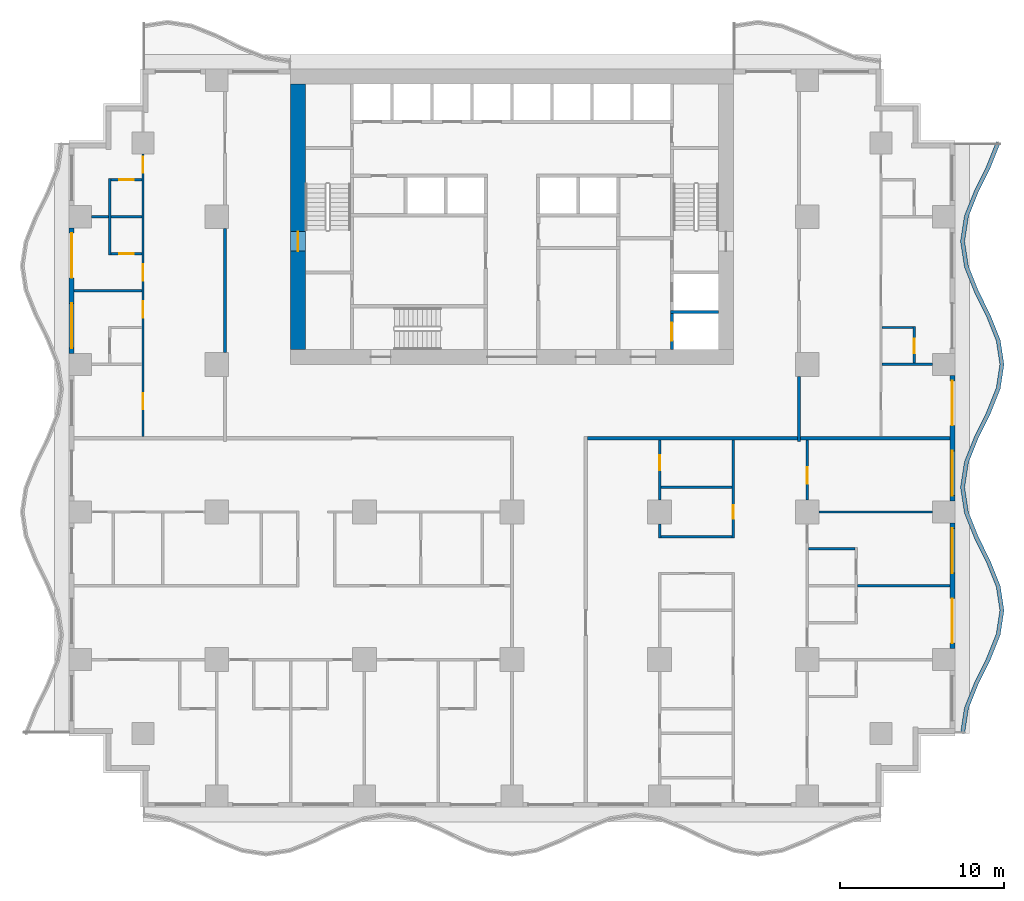
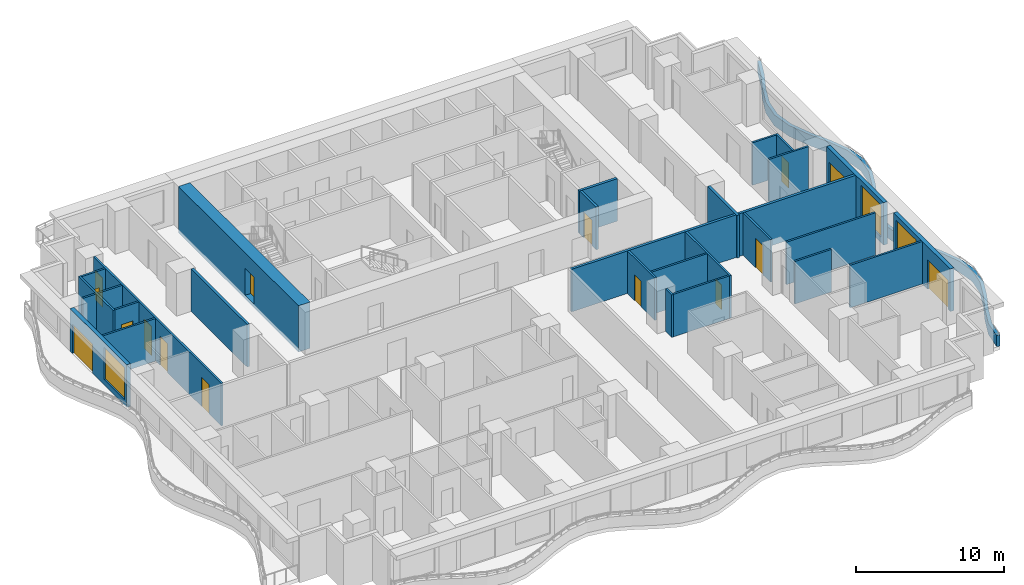
# One storey, part 4 of 13: 30 walls, 15 doors, 3 windows, 18 openings.
"""IFC4 building model written with IfcOpenShell, lengths in metres."""

from ifc_helpers import new_model, si_unit, direction, frame, frame_2d, origin, place, context, subcontext, project, spatial, polyline, rectangle, outline, extrude, material, layer, layer_set, type_object, element, fill, save


model = new_model("IFC4")

# Units and contexts
model_context = context("Model", 3, precision=1e-05, world=origin(), true_north=direction((0.0, 1.0)))
body_context = subcontext(model_context, "Body", "Model", "MODEL_VIEW")
ifc_project = project(units=[si_unit("LENGTHUNIT", "METRE"), si_unit("AREAUNIT", "SQUARE_METRE"), si_unit("VOLUMEUNIT", "CUBIC_METRE"), si_unit("PLANEANGLEUNIT", "RADIAN"), si_unit("MASSUNIT", "GRAM", prefix="KILO")], contexts=[model_context])

# Site, building, storey
site_placement = place(None, origin())
site = spatial("IfcSite", under=ifc_project, at=site_placement, CompositionType="ELEMENT")
building_placement = place(site_placement, origin())
building = spatial("IfcBuilding", under=site, at=building_placement, Name="Orbiselva Terraces", CompositionType="ELEMENT")
storey_placement = place(building_placement, frame((0.0, 0.0, 69.4)))
storey = spatial("IfcBuildingStorey", under=building, at=storey_placement, Name="L17", CompositionType="ELEMENT", Elevation=69.4)

# Wall, opening, door
ifc_material_1 = material(Name="Concrete C80/95", Category="concrete")
ifc_layer_1 = layer(ifc_material_1, 0.9)
ifc_layer_set_1 = layer_set([ifc_layer_1], Name="Concrete C80/95")
wall_type_1 = type_object("IfcWallType", Name="CORE WALL 900", PredefinedType="SHEAR", material=ifc_layer_set_1)
wall_1_placement = place(storey_placement, frame((-13.05, 21.6, -0.3), z_axis=(0.0, 0.0, 1.0), x_axis=(0.0, -1.0, 0.0)))
wall_1 = element("IfcWall", 1, at=wall_1_placement, inside=storey, type_object=wall_type_1, Name="Core wall L17 west", PredefinedType="SHEAR", context=body_context, shape_type="SweptSolid", body=[
    extrude(rectangle(XDim=16.2, YDim=0.9, at=frame_2d((8.1, 0.0))), origin(), (0.0, 0.0, 1.0), 3.8),
])
opening_1_placement = place(wall_1_placement, frame((9.0, 0.0, 0.3)))
opening_1 = element("IfcOpeningElement", 2, at=opening_1_placement, cuts=wall_1, Name="Opening DS1200", PredefinedType="OPENING", context=body_context, shape_type="SweptSolid", body=[
    extrude(rectangle(XDim=1.2, YDim=2.2, at=frame_2d((0.6, 1.1))), frame((0.0, 0.46, 0.0), z_axis=(0.0, -1.0, 0.0), x_axis=(1.0, 0.0, 0.0)), (0.0, 0.0, 1.0), 0.92),
])
ifc_material_2 = material(Name="Steel fire door", Category="steel")
door_type_1 = type_object("IfcDoorType", Name="STAIR DOOR 1200", OperationType="NOTDEFINED", PredefinedType="DOOR", material=ifc_material_2)
door_1_placement = place(opening_1_placement, frame((1.2, 0.0, 0.0), z_axis=(0.0, 0.0, 1.0), x_axis=(-1.0, 0.0, 0.0)))
door_1 = element("IfcDoor", 3, at=door_1_placement, inside=storey, type_object=door_type_1, Name="L17 EXIT STAIR S1 door", OperationType="SINGLE_SWING_RIGHT", OverallHeight=2.2, OverallWidth=1.2, PredefinedType="DOOR", context=body_context, shape_type="SweptSolid", body=[
    extrude(rectangle(XDim=1.2, YDim=2.2, at=frame_2d((0.6, 1.1))), frame((0.0, 0.025, 0.0), z_axis=(0.0, -1.0, 0.0), x_axis=(1.0, 0.0, 0.0)), (0.0, 0.0, 1.0), 0.05),
])
fill(opening_1, door_1)

ifc_material_3 = material(Name="Concrete C60/75", Category="concrete")
ifc_layer_2 = layer(ifc_material_3, 0.2)
ifc_layer_set_2 = layer_set([ifc_layer_2], Name="Concrete C60/75")
wall_type_2 = type_object("IfcWallType", Name="CORE-WALL-SHEAR-200", PredefinedType="SHEAR", material=ifc_layer_set_2)
wall_2_placement = place(storey_placement, frame((9.75, 5.4, 0.0), z_axis=(0.0, 0.0, 1.0), x_axis=(0.0, 1.0, 0.0)))
wall_2 = element("IfcWall", 4, at=wall_2_placement, inside=storey, type_object=wall_type_2, Name="L17 core wall 38", PredefinedType="SHEAR", context=body_context, shape_type="SweptSolid", body=[
    extrude(rectangle(XDim=2.2, YDim=0.2, at=frame_2d((1.1, 0.0))), origin(), (0.0, 0.0, 1.0), 3.5),
])
opening_2_placement = place(wall_2_placement, frame((0.55, 0.0, 0.0)))
opening_2 = element("IfcOpeningElement", 5, at=opening_2_placement, cuts=wall_2, Name="Opening LD-FF1", PredefinedType="OPENING", context=body_context, shape_type="SweptSolid", body=[
    extrude(rectangle(XDim=1.1, YDim=2.1, at=frame_2d((0.55, 1.05))), frame((0.0, 0.11, 0.0), z_axis=(0.0, -1.0, 0.0), x_axis=(1.0, 0.0, 0.0)), (0.0, 0.0, 1.0), 0.22),
])
ifc_material_4 = material(Name="Stainless steel landing door", Category="steel")
door_type_2 = type_object("IfcDoorType", Name="LANDING DOOR 1100", OperationType="SLIDING_TO_LEFT", PredefinedType="DOOR", material=ifc_material_4)
door_2_placement = place(opening_2_placement, origin())
door_2 = element("IfcDoor", 6, at=door_2_placement, inside=storey, type_object=door_type_2, Name="L17 landing door FF1", OperationType="SLIDING_TO_RIGHT", OverallHeight=2.1, OverallWidth=1.1, PredefinedType="DOOR", context=body_context, shape_type="SweptSolid", body=[
    extrude(rectangle(XDim=1.1, YDim=2.1, at=frame_2d((0.55, 1.05))), frame((0.0, 0.025, 0.0), z_axis=(0.0, -1.0, 0.0), x_axis=(1.0, 0.0, 0.0)), (0.0, 0.0, 1.0), 0.05),
])
fill(opening_2, door_2)

# Walls
wall_3_placement = place(storey_placement, frame((9.65, 7.7, 0.0), z_axis=(0.0, 0.0, 1.0), x_axis=(1.0, 0.0, 0.0)))
element("IfcWall", 7, at=wall_3_placement, inside=storey, type_object=wall_type_2, Name="L17 core wall 39", PredefinedType="SHEAR", context=body_context, shape_type="SweptSolid", body=[
    extrude(rectangle(XDim=2.95, YDim=0.2, at=frame_2d((1.475, 0.0))), origin(), (0.0, 0.0, 1.0), 3.5),
])
ifc_material_5 = material(Name="Concrete C40/50", Category="concrete")
ifc_layer_3 = layer(ifc_material_5, 0.25)
ifc_layer_set_3 = layer_set([ifc_layer_3], Name="Concrete C40/50")
wall_type_3 = type_object("IfcWallType", Name="ENV-PLANTER-250x900", PredefinedType="USERDEFINED", material=ifc_layer_set_3)
wall_4_placement = place(storey_placement, origin())
element("IfcWall", 8, at=wall_4_placement, inside=storey, type_object=wall_type_3, Name="Balcony planter L17 E", ObjectType="PLANTER", PredefinedType="USERDEFINED", context=body_context, shape_type="SweptSolid", body=[
    extrude(outline(polyline([(27.6, -18.0), (27.82918, -16.5), (28.42918, -15.0), (29.17082, -13.5), (29.77082, -12.0), (30.0, -10.5), (29.77082, -9.0), (29.17082, -7.5), (28.42918, -6.0), (27.82918, -4.5), (27.6, -3.0), (27.82918, -1.5), (28.42918, 0.0), (29.17082, 1.5), (29.77082, 3.0), (30.0, 4.5), (29.77082, 6.0), (29.17082, 7.5), (28.42918, 9.0), (27.82918, 10.5), (27.6, 12.0), (27.82918, 13.5), (28.42918, 15.0), (29.17082, 16.5), (29.77082, 18.0), (29.538701, 18.092848), (28.942355, 16.601983), (28.200715, 15.101983), (27.586388, 13.566166), (27.347099, 12.0), (27.586388, 10.433834), (28.200715, 8.898017), (28.942355, 7.398017), (29.528028, 5.933834), (29.747099, 4.5), (29.528028, 3.066166), (28.942355, 1.601983), (28.200715, 0.101983), (27.586388, -1.433834), (27.347099, -3.0), (27.586388, -4.566166), (28.200715, -6.101983), (28.942355, -7.601983), (29.528028, -9.066166), (29.747099, -10.5), (29.528028, -11.933834), (28.942355, -13.398017), (28.200715, -14.898017), (27.586388, -16.433834), (27.352868, -17.962242), (27.6, -18.0)])), origin(), (0.0, 0.0, 1.0), 0.9),
])

# Wall, openings, door, window
ifc_material_6 = material(Name="Terracotta cladding on masonry backing", Category="masonry")
ifc_layer_4 = layer(ifc_material_6, 0.3)
ifc_layer_set_4 = layer_set([ifc_layer_4], Name="Terracotta cladding on masonry backing")
wall_type_4 = type_object("IfcWallType", Name="ENV-WALL-TERRACOTTA-300", PredefinedType="SOLIDWALL", material=ifc_layer_set_4)
wall_5_placement = place(storey_placement, frame((26.85, -5.175, 0.0), z_axis=(0.0, 0.0, 1.0), x_axis=(0.0, -1.0, 0.0)))
wall_5 = element("IfcWall", 9, at=wall_5_placement, inside=storey, type_object=wall_type_4, Name="Facade wall L17 E", PredefinedType="SOLIDWALL", context=body_context, shape_type="SweptSolid", body=[
    extrude(rectangle(XDim=7.65, YDim=0.3, at=frame_2d((3.825, 0.0))), origin(), (0.0, 0.0, 1.0), 3.5),
])
opening_3_placement = place(wall_5_placement, frame((4.6, 0.0, 0.0)))
opening_3 = element("IfcOpeningElement", 10, at=opening_3_placement, cuts=wall_5, Name="Opening Z2-A-E05", PredefinedType="OPENING", context=body_context, shape_type="SweptSolid", body=[
    extrude(rectangle(XDim=2.725, YDim=2.4, at=frame_2d((1.3625, 1.2))), frame((0.0, 0.16, 0.0), z_axis=(0.0, -1.0, 0.0), x_axis=(1.0, 0.0, 0.0)), (0.0, 0.0, 1.0), 0.32),
])
opening_4_placement = place(wall_5_placement, frame((0.325, 0.0, 0.45)))
opening_4 = element("IfcOpeningElement", 11, at=opening_4_placement, cuts=wall_5, Name="Opening WN5", PredefinedType="OPENING", context=body_context, shape_type="SweptSolid", body=[
    extrude(rectangle(XDim=2.725, YDim=2.65, at=frame_2d((1.3625, 1.325))), frame((0.0, 0.16, 0.0), z_axis=(0.0, -1.0, 0.0), x_axis=(1.0, 0.0, 0.0)), (0.0, 0.0, 1.0), 0.32),
])
ifc_material_7 = material(Name="Clear low-e glazing in aluminium frame", Category="aluminium")
door_type_3 = type_object("IfcDoorType", Name="BALCONY DOOR 2725 X 2400", OperationType="DOUBLE_DOOR_SLIDING", PredefinedType="DOOR", material=ifc_material_7)
door_3_placement = place(opening_3_placement, origin())
door_3 = element("IfcDoor", 12, at=door_3_placement, inside=storey, type_object=door_type_3, Name="Z2-A-E05", OperationType="SINGLE_SWING_LEFT", OverallHeight=2.4, OverallWidth=2.725, PredefinedType="DOOR", context=body_context, shape_type="SweptSolid", body=[
    extrude(rectangle(XDim=2.725, YDim=2.4, at=frame_2d((1.3625, 1.2))), frame((0.0, 0.025, 0.0), z_axis=(0.0, -1.0, 0.0), x_axis=(1.0, 0.0, 0.0)), (0.0, 0.0, 1.0), 0.05),
])
fill(opening_3, door_3)
window_type = type_object("IfcWindowType", Name="WINDOW 2725 X 2650 S450", PartitioningType="TRIPLE_PANEL_VERTICAL", PredefinedType="WINDOW", material=ifc_material_7)
window_1_placement = place(opening_4_placement, origin())
window_1 = element("IfcWindow", 13, at=window_1_placement, inside=storey, type_object=window_type, Name="Window L17 E", OverallHeight=2.65, OverallWidth=2.725, PartitioningType="SINGLE_PANEL", PredefinedType="WINDOW", context=body_context, shape_type="SweptSolid", body=[
    extrude(rectangle(XDim=2.725, YDim=2.65, at=frame_2d((1.3625, 1.325))), frame((0.0, 0.03, 0.0), z_axis=(0.0, -1.0, 0.0), x_axis=(1.0, 0.0, 0.0)), (0.0, 0.0, 1.0), 0.06),
])
fill(opening_4, window_1)

wall_6_placement = place(storey_placement, frame((26.85, 3.825, 0.0), z_axis=(0.0, 0.0, 1.0), x_axis=(0.0, -1.0, 0.0)))
wall_6 = element("IfcWall", 14, at=wall_6_placement, inside=storey, type_object=wall_type_4, Name="Facade wall L17 E", PredefinedType="SOLIDWALL", context=body_context, shape_type="SweptSolid", body=[
    extrude(rectangle(XDim=7.65, YDim=0.3, at=frame_2d((3.825, 0.0))), origin(), (0.0, 0.0, 1.0), 3.5),
])
opening_5_placement = place(wall_6_placement, frame((4.6, 0.0, 0.45)))
opening_5 = element("IfcOpeningElement", 15, at=opening_5_placement, cuts=wall_6, Name="Opening WN5", PredefinedType="OPENING", context=body_context, shape_type="SweptSolid", body=[
    extrude(rectangle(XDim=2.725, YDim=2.65, at=frame_2d((1.3625, 1.325))), frame((0.0, 0.16, 0.0), z_axis=(0.0, -1.0, 0.0), x_axis=(1.0, 0.0, 0.0)), (0.0, 0.0, 1.0), 0.32),
])
opening_6_placement = place(wall_6_placement, frame((0.325, 0.0, 0.0)))
opening_6 = element("IfcOpeningElement", 16, at=opening_6_placement, cuts=wall_6, Name="Opening Z2-A-E06", PredefinedType="OPENING", context=body_context, shape_type="SweptSolid", body=[
    extrude(rectangle(XDim=2.725, YDim=2.4, at=frame_2d((1.3625, 1.2))), frame((0.0, 0.16, 0.0), z_axis=(0.0, -1.0, 0.0), x_axis=(1.0, 0.0, 0.0)), (0.0, 0.0, 1.0), 0.32),
])
door_4_placement = place(opening_6_placement, origin())
door_4 = element("IfcDoor", 17, at=door_4_placement, inside=storey, type_object=door_type_3, Name="Z2-A-E06", OperationType="SINGLE_SWING_LEFT", OverallHeight=2.4, OverallWidth=2.725, PredefinedType="DOOR", context=body_context, shape_type="SweptSolid", body=[
    extrude(rectangle(XDim=2.725, YDim=2.4, at=frame_2d((1.3625, 1.2))), frame((0.0, 0.025, 0.0), z_axis=(0.0, -1.0, 0.0), x_axis=(1.0, 0.0, 0.0)), (0.0, 0.0, 1.0), 0.05),
])
fill(opening_6, door_4)
window_2_placement = place(opening_5_placement, origin())
window_2 = element("IfcWindow", 18, at=window_2_placement, inside=storey, type_object=window_type, Name="Window L17 E", OverallHeight=2.65, OverallWidth=2.725, PartitioningType="SINGLE_PANEL", PredefinedType="WINDOW", context=body_context, shape_type="SweptSolid", body=[
    extrude(rectangle(XDim=2.725, YDim=2.65, at=frame_2d((1.3625, 1.325))), frame((0.0, 0.03, 0.0), z_axis=(0.0, -1.0, 0.0), x_axis=(1.0, 0.0, 0.0)), (0.0, 0.0, 1.0), 0.06),
])
fill(opening_5, window_2)

wall_7_placement = place(storey_placement, frame((-26.85, 5.175, 0.0), z_axis=(0.0, 0.0, 1.0), x_axis=(0.0, 1.0, 0.0)))
wall_7 = element("IfcWall", 19, at=wall_7_placement, inside=storey, type_object=wall_type_4, Name="Facade wall L17 W", PredefinedType="SOLIDWALL", context=body_context, shape_type="SweptSolid", body=[
    extrude(rectangle(XDim=7.65, YDim=0.3, at=frame_2d((3.825, 0.0))), origin(), (0.0, 0.0, 1.0), 3.5),
])
opening_7_placement = place(wall_7_placement, frame((4.6, 0.0, 0.0)))
opening_7 = element("IfcOpeningElement", 20, at=opening_7_placement, cuts=wall_7, Name="Opening Z2-A-E10", PredefinedType="OPENING", context=body_context, shape_type="SweptSolid", body=[
    extrude(rectangle(XDim=2.725, YDim=2.4, at=frame_2d((1.3625, 1.2))), frame((0.0, 0.16, 0.0), z_axis=(0.0, -1.0, 0.0), x_axis=(1.0, 0.0, 0.0)), (0.0, 0.0, 1.0), 0.32),
])
opening_8_placement = place(wall_7_placement, frame((0.325, 0.0, 0.45)))
opening_8 = element("IfcOpeningElement", 21, at=opening_8_placement, cuts=wall_7, Name="Opening WN5", PredefinedType="OPENING", context=body_context, shape_type="SweptSolid", body=[
    extrude(rectangle(XDim=2.725, YDim=2.65, at=frame_2d((1.3625, 1.325))), frame((0.0, 0.16, 0.0), z_axis=(0.0, -1.0, 0.0), x_axis=(1.0, 0.0, 0.0)), (0.0, 0.0, 1.0), 0.32),
])
door_5_placement = place(opening_7_placement, origin())
door_5 = element("IfcDoor", 22, at=door_5_placement, inside=storey, type_object=door_type_3, Name="Z2-A-E10", OperationType="SINGLE_SWING_LEFT", OverallHeight=2.4, OverallWidth=2.725, PredefinedType="DOOR", context=body_context, shape_type="SweptSolid", body=[
    extrude(rectangle(XDim=2.725, YDim=2.4, at=frame_2d((1.3625, 1.2))), frame((0.0, 0.025, 0.0), z_axis=(0.0, -1.0, 0.0), x_axis=(1.0, 0.0, 0.0)), (0.0, 0.0, 1.0), 0.05),
])
fill(opening_7, door_5)
window_3_placement = place(opening_8_placement, origin())
window_3 = element("IfcWindow", 23, at=window_3_placement, inside=storey, type_object=window_type, Name="Window L17 W", OverallHeight=2.65, OverallWidth=2.725, PartitioningType="SINGLE_PANEL", PredefinedType="WINDOW", context=body_context, shape_type="SweptSolid", body=[
    extrude(rectangle(XDim=2.725, YDim=2.65, at=frame_2d((1.3625, 1.325))), frame((0.0, 0.03, 0.0), z_axis=(0.0, -1.0, 0.0), x_axis=(1.0, 0.0, 0.0)), (0.0, 0.0, 1.0), 0.06),
])
fill(opening_8, window_3)

# Walls
ifc_material_8 = material(Name="Plasterboard on steel stud partition", Category="steel")
ifc_layer_5 = layer(ifc_material_8, 0.2)
ifc_layer_set_5 = layer_set([ifc_layer_5], Name="Plasterboard on steel stud partition")
wall_type_5 = type_object("IfcWallType", Name="UNIT-ENTRANCE-WALL-200", PredefinedType="PARTITIONING", material=ifc_layer_set_5)
wall_8_placement = place(storey_placement, frame((4.6, 0.0, 0.0), z_axis=(0.0, 0.0, 1.0), x_axis=(1.0, 0.0, 0.0)))
element("IfcWall", 24, at=wall_8_placement, inside=storey, type_object=wall_type_5, Name="PARTITION L17-029", PredefinedType="PARTITIONING", context=body_context, shape_type="SweptSolid", body=[
    extrude(rectangle(XDim=12.8, YDim=0.2, at=frame_2d((6.4, 0.0))), origin(), (0.0, 0.0, 1.0), 3.5),
])
wall_9_placement = place(storey_placement, frame((-17.5, 5.225, 0.0), z_axis=(0.0, 0.0, 1.0), x_axis=(0.0, 1.0, 0.0)))
element("IfcWall", 25, at=wall_9_placement, inside=storey, type_object=wall_type_5, Name="PARTITION L17-052", PredefinedType="PARTITIONING", context=body_context, shape_type="SweptSolid", body=[
    extrude(rectangle(XDim=7.55, YDim=0.2, at=frame_2d((3.775, 0.0))), origin(), (0.0, 0.0, 1.0), 3.5),
])
wall_10_placement = place(storey_placement, frame((17.5, -0.2, 0.0), z_axis=(0.0, 0.0, 1.0), x_axis=(0.0, 1.0, 0.0)))
element("IfcWall", 26, at=wall_10_placement, inside=storey, type_object=wall_type_5, Name="PARTITION L17-075", PredefinedType="PARTITIONING", context=body_context, shape_type="SweptSolid", body=[
    extrude(rectangle(XDim=3.975, YDim=0.2, at=frame_2d((1.9875, 0.0))), origin(), (0.0, 0.0, 1.0), 3.5),
])
ifc_layer_6 = layer(ifc_material_8, 0.15)
ifc_layer_set_6 = layer_set([ifc_layer_6], Name="Plasterboard on steel stud partition")
wall_type_6 = type_object("IfcWallType", Name="UNIT-PARTITION-150", PredefinedType="PARTITIONING", material=ifc_layer_set_6)
wall_11_placement = place(storey_placement, frame((21.075, -9.0, 0.0), z_axis=(0.0, 0.0, 1.0), x_axis=(1.0, 0.0, 0.0)))
element("IfcWall", 27, at=wall_11_placement, inside=storey, type_object=wall_type_6, Name="PARTITION L17-018", PredefinedType="PARTITIONING", context=body_context, shape_type="SweptSolid", body=[
    extrude(rectangle(XDim=5.625, YDim=0.15, at=frame_2d((2.8125, 0.0))), origin(), (0.0, 0.0, 1.0), 3.5),
])
wall_12_placement = place(storey_placement, frame((18.075, -6.75, 0.0), z_axis=(0.0, 0.0, 1.0), x_axis=(1.0, 0.0, 0.0)))
element("IfcWall", 28, at=wall_12_placement, inside=storey, type_object=wall_type_6, Name="PARTITION L17-020", PredefinedType="PARTITIONING", context=body_context, shape_type="SweptSolid", body=[
    extrude(rectangle(XDim=2.85, YDim=0.15, at=frame_2d((1.425, 0.0))), origin(), (0.0, 0.0, 1.0), 3.5),
])
wall_13_placement = place(storey_placement, frame((9.075, -6.0, 0.0), z_axis=(0.0, 0.0, 1.0), x_axis=(1.0, 0.0, 0.0)))
element("IfcWall", 29, at=wall_13_placement, inside=storey, type_object=wall_type_6, Name="PARTITION L17-021", PredefinedType="PARTITIONING", context=body_context, shape_type="SweptSolid", body=[
    extrude(rectangle(XDim=4.35, YDim=0.15, at=frame_2d((2.175, 0.0))), origin(), (0.0, 0.0, 1.0), 3.5),
])
wall_14_placement = place(storey_placement, frame((18.725, -4.5, 0.0), z_axis=(0.0, 0.0, 1.0), x_axis=(1.0, 0.0, 0.0)))
element("IfcWall", 30, at=wall_14_placement, inside=storey, type_object=wall_type_6, Name="PARTITION L17-026", PredefinedType="PARTITIONING", context=body_context, shape_type="SweptSolid", body=[
    extrude(rectangle(XDim=6.925, YDim=0.15, at=frame_2d((3.4625, 0.0))), origin(), (0.0, 0.0, 1.0), 3.5),
])
wall_15_placement = place(storey_placement, frame((9.075, -3.0, 0.0), z_axis=(0.0, 0.0, 1.0), x_axis=(1.0, 0.0, 0.0)))
element("IfcWall", 31, at=wall_15_placement, inside=storey, type_object=wall_type_6, Name="PARTITION L17-027", PredefinedType="PARTITIONING", context=body_context, shape_type="SweptSolid", body=[
    extrude(rectangle(XDim=4.35, YDim=0.15, at=frame_2d((2.175, 0.0))), origin(), (0.0, 0.0, 1.0), 3.5),
])
wall_16_placement = place(storey_placement, frame((22.575, 4.5, 0.0), z_axis=(0.0, 0.0, 1.0), x_axis=(1.0, 0.0, 0.0)))
element("IfcWall", 32, at=wall_16_placement, inside=storey, type_object=wall_type_6, Name="PARTITION L17-033", PredefinedType="PARTITIONING", context=body_context, shape_type="SweptSolid", body=[
    extrude(rectangle(XDim=3.075, YDim=0.15, at=frame_2d((1.5375, 0.0))), origin(), (0.0, 0.0, 1.0), 3.5),
])
wall_17_placement = place(storey_placement, frame((22.575, 6.75, 0.0), z_axis=(0.0, 0.0, 1.0), x_axis=(1.0, 0.0, 0.0)))
element("IfcWall", 33, at=wall_17_placement, inside=storey, type_object=wall_type_6, Name="PARTITION L17-035", PredefinedType="PARTITIONING", context=body_context, shape_type="SweptSolid", body=[
    extrude(rectangle(XDim=1.875, YDim=0.15, at=frame_2d((0.9375, 0.0))), origin(), (0.0, 0.0, 1.0), 3.5),
])
wall_18_placement = place(storey_placement, frame((-26.7, 9.0, 0.0), z_axis=(0.0, 0.0, 1.0), x_axis=(1.0, 0.0, 0.0)))
element("IfcWall", 34, at=wall_18_placement, inside=storey, type_object=wall_type_6, Name="PARTITION L17-036", PredefinedType="PARTITIONING", context=body_context, shape_type="SweptSolid", body=[
    extrude(rectangle(XDim=4.125, YDim=0.15, at=frame_2d((2.0625, 0.0))), origin(), (0.0, 0.0, 1.0), 3.5),
])

# Wall, opening, door
wall_19_placement = place(storey_placement, frame((-24.45, 11.25, 0.0), z_axis=(0.0, 0.0, 1.0), x_axis=(1.0, 0.0, 0.0)))
wall_19 = element("IfcWall", 35, at=wall_19_placement, inside=storey, type_object=wall_type_6, Name="PARTITION L17-037", PredefinedType="PARTITIONING", context=body_context, shape_type="SweptSolid", body=[
    extrude(rectangle(XDim=1.875, YDim=0.15, at=frame_2d((0.9375, 0.0))), origin(), (0.0, 0.0, 1.0), 3.5),
])
opening_9_placement = place(wall_19_placement, frame((0.5, 0.0, 0.0)))
opening_9 = element("IfcOpeningElement", 36, at=opening_9_placement, cuts=wall_19, Name="Opening Z2-A-06", PredefinedType="OPENING", context=body_context, shape_type="SweptSolid", body=[
    extrude(rectangle(XDim=0.9, YDim=2.1, at=frame_2d((0.45, 1.05))), frame((0.0, 0.085, 0.0), z_axis=(0.0, -1.0, 0.0), x_axis=(1.0, 0.0, 0.0)), (0.0, 0.0, 1.0), 0.17),
])
ifc_material_9 = material(Name="Painted timber door leaf", Category="wood")
door_type_4 = type_object("IfcDoorType", Name="BATH DOOR 900", OperationType="NOTDEFINED", PredefinedType="DOOR", material=ifc_material_9)
door_6_placement = place(opening_9_placement, origin())
door_6 = element("IfcDoor", 37, at=door_6_placement, inside=storey, type_object=door_type_4, Name="Z2-A-06", OperationType="SINGLE_SWING_RIGHT", OverallHeight=2.1, OverallWidth=0.9, PredefinedType="DOOR", context=body_context, shape_type="SweptSolid", body=[
    extrude(rectangle(XDim=0.9, YDim=2.1, at=frame_2d((0.45, 1.05))), frame((0.0, 0.025, 0.0), z_axis=(0.0, -1.0, 0.0), x_axis=(1.0, 0.0, 0.0)), (0.0, 0.0, 1.0), 0.05),
])
fill(opening_9, door_6)

# Walls
wall_20_placement = place(storey_placement, frame((-25.65, 13.5, 0.0), z_axis=(0.0, 0.0, 1.0), x_axis=(1.0, 0.0, 0.0)))
element("IfcWall", 38, at=wall_20_placement, inside=storey, type_object=wall_type_6, Name="PARTITION L17-038", PredefinedType="PARTITIONING", context=body_context, shape_type="SweptSolid", body=[
    extrude(rectangle(XDim=1.05, YDim=0.15, at=frame_2d((0.525, 0.0))), origin(), (0.0, 0.0, 1.0), 3.5),
])
wall_21_placement = place(storey_placement, frame((-24.45, 13.5, 0.0), z_axis=(0.0, 0.0, 1.0), x_axis=(1.0, 0.0, 0.0)))
element("IfcWall", 39, at=wall_21_placement, inside=storey, type_object=wall_type_6, Name="PARTITION L17-039", PredefinedType="PARTITIONING", context=body_context, shape_type="SweptSolid", body=[
    extrude(rectangle(XDim=1.875, YDim=0.15, at=frame_2d((0.9375, 0.0))), origin(), (0.0, 0.0, 1.0), 3.5),
])

# Wall, opening, door
wall_22_placement = place(storey_placement, frame((-22.575, 15.75, 0.0), z_axis=(0.0, 0.0, 1.0), x_axis=(-1.0, 0.0, 0.0)))
wall_22 = element("IfcWall", 40, at=wall_22_placement, inside=storey, type_object=wall_type_6, Name="PARTITION L17-041", PredefinedType="PARTITIONING", context=body_context, shape_type="SweptSolid", body=[
    extrude(rectangle(XDim=1.875, YDim=0.15, at=frame_2d((0.9375, 0.0))), origin(), (0.0, 0.0, 1.0), 3.5),
])
opening_10_placement = place(wall_22_placement, frame((0.475, 0.0, 0.0)))
opening_10 = element("IfcOpeningElement", 41, at=opening_10_placement, cuts=wall_22, Name="Opening Z2-A-08", PredefinedType="OPENING", context=body_context, shape_type="SweptSolid", body=[
    extrude(rectangle(XDim=0.9, YDim=2.1, at=frame_2d((0.45, 1.05))), frame((0.0, 0.085, 0.0), z_axis=(0.0, -1.0, 0.0), x_axis=(1.0, 0.0, 0.0)), (0.0, 0.0, 1.0), 0.17),
])
door_7_placement = place(opening_10_placement, origin())
door_7 = element("IfcDoor", 42, at=door_7_placement, inside=storey, type_object=door_type_4, Name="Z2-A-08", OperationType="SINGLE_SWING_LEFT", OverallHeight=2.1, OverallWidth=0.9, PredefinedType="DOOR", context=body_context, shape_type="SweptSolid", body=[
    extrude(rectangle(XDim=0.9, YDim=2.1, at=frame_2d((0.45, 1.05))), frame((0.0, 0.025, 0.0), z_axis=(0.0, -1.0, 0.0), x_axis=(1.0, 0.0, 0.0)), (0.0, 0.0, 1.0), 0.05),
])
fill(opening_10, door_7)

# Wall
wall_23_placement = place(storey_placement, frame((-24.525, 11.175, 0.0), z_axis=(0.0, 0.0, 1.0), x_axis=(0.0, 1.0, 0.0)))
element("IfcWall", 43, at=wall_23_placement, inside=storey, type_object=wall_type_6, Name="PARTITION L17-044", PredefinedType="PARTITIONING", context=body_context, shape_type="SweptSolid", body=[
    extrude(rectangle(XDim=4.65, YDim=0.15, at=frame_2d((2.325, 0.0))), origin(), (0.0, 0.0, 1.0), 3.5),
])

# Wall, openings, doors
wall_24_placement = place(storey_placement, frame((-22.5, 0.1, 0.0), z_axis=(0.0, 0.0, 1.0), x_axis=(0.0, 1.0, 0.0)))
wall_24 = element("IfcWall", 44, at=wall_24_placement, inside=storey, type_object=wall_type_6, Name="PARTITION L17-046", PredefinedType="PARTITIONING", context=body_context, shape_type="SweptSolid", body=[
    extrude(rectangle(XDim=17.225, YDim=0.15, at=frame_2d((8.6125, 0.0))), origin(), (0.0, 0.0, 1.0), 3.5),
])
opening_11_placement = place(wall_24_placement, frame((1.65, 0.0, 0.0)))
opening_11 = element("IfcOpeningElement", 45, at=opening_11_placement, cuts=wall_24, Name="Opening Z2-A-02", PredefinedType="OPENING", context=body_context, shape_type="SweptSolid", body=[
    extrude(rectangle(XDim=1.0, YDim=2.4, at=frame_2d((0.5, 1.2))), frame((0.0, 0.085, 0.0), z_axis=(0.0, -1.0, 0.0), x_axis=(1.0, 0.0, 0.0)), (0.0, 0.0, 1.0), 0.17),
])
opening_12_placement = place(wall_24_placement, frame((7.25, 0.0, 0.0)))
opening_12 = element("IfcOpeningElement", 46, at=opening_12_placement, cuts=wall_24, Name="Opening Z2-A-03", PredefinedType="OPENING", context=body_context, shape_type="SweptSolid", body=[
    extrude(rectangle(XDim=1.0, YDim=2.4, at=frame_2d((0.5, 1.2))), frame((0.0, 0.085, 0.0), z_axis=(0.0, -1.0, 0.0), x_axis=(1.0, 0.0, 0.0)), (0.0, 0.0, 1.0), 0.17),
])
opening_13_placement = place(wall_24_placement, frame((9.5, 0.0, 0.0)))
opening_13 = element("IfcOpeningElement", 47, at=opening_13_placement, cuts=wall_24, Name="Opening Z2-A-05", PredefinedType="OPENING", context=body_context, shape_type="SweptSolid", body=[
    extrude(rectangle(XDim=1.0, YDim=2.4, at=frame_2d((0.5, 1.2))), frame((0.0, 0.085, 0.0), z_axis=(0.0, -1.0, 0.0), x_axis=(1.0, 0.0, 0.0)), (0.0, 0.0, 1.0), 0.17),
])
opening_14_placement = place(wall_24_placement, frame((16.075, 0.0, 0.0)))
opening_14 = element("IfcOpeningElement", 48, at=opening_14_placement, cuts=wall_24, Name="Opening Z2-A-07", PredefinedType="OPENING", context=body_context, shape_type="SweptSolid", body=[
    extrude(rectangle(XDim=1.0, YDim=2.4, at=frame_2d((0.5, 1.2))), frame((0.0, 0.085, 0.0), z_axis=(0.0, -1.0, 0.0), x_axis=(1.0, 0.0, 0.0)), (0.0, 0.0, 1.0), 0.17),
])
door_type_5 = type_object("IfcDoorType", Name="ROOM DOOR 1000", OperationType="NOTDEFINED", PredefinedType="DOOR", material=ifc_material_9)
door_8_placement = place(opening_11_placement, origin())
door_8 = element("IfcDoor", 49, at=door_8_placement, inside=storey, type_object=door_type_5, Name="Z2-A-02", OperationType="SINGLE_SWING_LEFT", OverallHeight=2.4, OverallWidth=1.0, PredefinedType="DOOR", context=body_context, shape_type="SweptSolid", body=[
    extrude(rectangle(XDim=1.0, YDim=2.4, at=frame_2d((0.5, 1.2))), frame((0.0, 0.025, 0.0), z_axis=(0.0, -1.0, 0.0), x_axis=(1.0, 0.0, 0.0)), (0.0, 0.0, 1.0), 0.05),
])
fill(opening_11, door_8)
door_9_placement = place(opening_12_placement, origin())
door_9 = element("IfcDoor", 50, at=door_9_placement, inside=storey, type_object=door_type_5, Name="Z2-A-03", OperationType="SINGLE_SWING_LEFT", OverallHeight=2.4, OverallWidth=1.0, PredefinedType="DOOR", context=body_context, shape_type="SweptSolid", body=[
    extrude(rectangle(XDim=1.0, YDim=2.4, at=frame_2d((0.5, 1.2))), frame((0.0, 0.025, 0.0), z_axis=(0.0, -1.0, 0.0), x_axis=(1.0, 0.0, 0.0)), (0.0, 0.0, 1.0), 0.05),
])
fill(opening_12, door_9)
door_10_placement = place(opening_13_placement, origin())
door_10 = element("IfcDoor", 51, at=door_10_placement, inside=storey, type_object=door_type_5, Name="Z2-A-05", OperationType="SINGLE_SWING_RIGHT", OverallHeight=2.4, OverallWidth=1.0, PredefinedType="DOOR", context=body_context, shape_type="SweptSolid", body=[
    extrude(rectangle(XDim=1.0, YDim=2.4, at=frame_2d((0.5, 1.2))), frame((0.0, 0.025, 0.0), z_axis=(0.0, -1.0, 0.0), x_axis=(1.0, 0.0, 0.0)), (0.0, 0.0, 1.0), 0.05),
])
fill(opening_13, door_10)
door_11_placement = place(opening_14_placement, origin())
door_11 = element("IfcDoor", 52, at=door_11_placement, inside=storey, type_object=door_type_5, Name="Z2-A-07", OperationType="SINGLE_SWING_RIGHT", OverallHeight=2.4, OverallWidth=1.0, PredefinedType="DOOR", context=body_context, shape_type="SweptSolid", body=[
    extrude(rectangle(XDim=1.0, YDim=2.4, at=frame_2d((0.5, 1.2))), frame((0.0, 0.025, 0.0), z_axis=(0.0, -1.0, 0.0), x_axis=(1.0, 0.0, 0.0)), (0.0, 0.0, 1.0), 0.05),
])
fill(opening_14, door_11)

# Wall
wall_25_placement = place(storey_placement, frame((9.0, -6.075, 0.0), z_axis=(0.0, 0.0, 1.0), x_axis=(0.0, 1.0, 0.0)))
element("IfcWall", 53, at=wall_25_placement, inside=storey, type_object=wall_type_6, Name="PARTITION L17-071", PredefinedType="PARTITIONING", context=body_context, shape_type="SweptSolid", body=[
    extrude(rectangle(XDim=0.85, YDim=0.15, at=frame_2d((0.425, 0.0))), origin(), (0.0, 0.0, 1.0), 3.5),
])

# Wall, opening, door
wall_26_placement = place(storey_placement, frame((9.0, -0.1, 0.0), z_axis=(0.0, 0.0, 1.0), x_axis=(0.0, -1.0, 0.0)))
wall_26 = element("IfcWall", 54, at=wall_26_placement, inside=storey, type_object=wall_type_6, Name="PARTITION L17-072", PredefinedType="PARTITIONING", context=body_context, shape_type="SweptSolid", body=[
    extrude(rectangle(XDim=3.675, YDim=0.15, at=frame_2d((1.8375, 0.0))), origin(), (0.0, 0.0, 1.0), 3.5),
])
opening_15_placement = place(wall_26_placement, frame((0.95, 0.0, 0.0)))
opening_15 = element("IfcOpeningElement", 55, at=opening_15_placement, cuts=wall_26, Name="Opening Z2-A-39", PredefinedType="OPENING", context=body_context, shape_type="SweptSolid", body=[
    extrude(rectangle(XDim=0.9, YDim=2.1, at=frame_2d((0.45, 1.05))), frame((0.0, 0.085, 0.0), z_axis=(0.0, -1.0, 0.0), x_axis=(1.0, 0.0, 0.0)), (0.0, 0.0, 1.0), 0.17),
])
door_type_6 = type_object("IfcDoorType", Name="SERVICE DOOR 900", OperationType="NOTDEFINED", PredefinedType="DOOR", material=ifc_material_9)
door_12_placement = place(opening_15_placement, origin())
door_12 = element("IfcDoor", 56, at=door_12_placement, inside=storey, type_object=door_type_6, Name="Z2-A-39", OperationType="SINGLE_SWING_LEFT", OverallHeight=2.1, OverallWidth=0.9, PredefinedType="DOOR", context=body_context, shape_type="SweptSolid", body=[
    extrude(rectangle(XDim=0.9, YDim=2.1, at=frame_2d((0.45, 1.05))), frame((0.0, 0.025, 0.0), z_axis=(0.0, -1.0, 0.0), x_axis=(1.0, 0.0, 0.0)), (0.0, 0.0, 1.0), 0.05),
])
fill(opening_15, door_12)

wall_27_placement = place(storey_placement, frame((13.5, -6.075, 0.0), z_axis=(0.0, 0.0, 1.0), x_axis=(0.0, 1.0, 0.0)))
wall_27 = element("IfcWall", 57, at=wall_27_placement, inside=storey, type_object=wall_type_6, Name="PARTITION L17-074", PredefinedType="PARTITIONING", context=body_context, shape_type="SweptSolid", body=[
    extrude(rectangle(XDim=5.975, YDim=0.15, at=frame_2d((2.9875, 0.0))), origin(), (0.0, 0.0, 1.0), 3.5),
])
opening_16_placement = place(wall_27_placement, frame((1.175, 0.0, 0.0)))
opening_16 = element("IfcOpeningElement", 58, at=opening_16_placement, cuts=wall_27, Name="Opening Z2-A-38", PredefinedType="OPENING", context=body_context, shape_type="SweptSolid", body=[
    extrude(rectangle(XDim=0.8, YDim=2.0, at=frame_2d((0.4, 1.0))), frame((0.0, 0.085, 0.0), z_axis=(0.0, -1.0, 0.0), x_axis=(1.0, 0.0, 0.0)), (0.0, 0.0, 1.0), 0.17),
])
door_type_7 = type_object("IfcDoorType", Name="STORE DOOR 800", OperationType="NOTDEFINED", PredefinedType="DOOR", material=ifc_material_9)
door_13_placement = place(opening_16_placement, origin())
door_13 = element("IfcDoor", 59, at=door_13_placement, inside=storey, type_object=door_type_7, Name="Z2-A-38", OperationType="SINGLE_SWING_LEFT", OverallHeight=2.0, OverallWidth=0.8, PredefinedType="DOOR", context=body_context, shape_type="SweptSolid", body=[
    extrude(rectangle(XDim=0.8, YDim=2.0, at=frame_2d((0.4, 1.0))), frame((0.0, 0.025, 0.0), z_axis=(0.0, -1.0, 0.0), x_axis=(1.0, 0.0, 0.0)), (0.0, 0.0, 1.0), 0.05),
])
fill(opening_16, door_13)

wall_28_placement = place(storey_placement, frame((18.0, -0.1, 0.0), z_axis=(0.0, 0.0, 1.0), x_axis=(0.0, -1.0, 0.0)))
wall_28 = element("IfcWall", 60, at=wall_28_placement, inside=storey, type_object=wall_type_6, Name="PARTITION L17-080", PredefinedType="PARTITIONING", context=body_context, shape_type="SweptSolid", body=[
    extrude(rectangle(XDim=3.675, YDim=0.15, at=frame_2d((1.8375, 0.0))), origin(), (0.0, 0.0, 1.0), 3.5),
])
opening_17_placement = place(wall_28_placement, frame((1.675, 0.0, 0.0)))
opening_17 = element("IfcOpeningElement", 61, at=opening_17_placement, cuts=wall_28, Name="Opening Z2-A-46", PredefinedType="OPENING", context=body_context, shape_type="SweptSolid", body=[
    extrude(rectangle(XDim=1.0, YDim=2.4, at=frame_2d((0.5, 1.2))), frame((0.0, 0.085, 0.0), z_axis=(0.0, -1.0, 0.0), x_axis=(1.0, 0.0, 0.0)), (0.0, 0.0, 1.0), 0.17),
])
door_14_placement = place(opening_17_placement, origin())
door_14 = element("IfcDoor", 62, at=door_14_placement, inside=storey, type_object=door_type_5, Name="Z2-A-46", OperationType="SINGLE_SWING_RIGHT", OverallHeight=2.4, OverallWidth=1.0, PredefinedType="DOOR", context=body_context, shape_type="SweptSolid", body=[
    extrude(rectangle(XDim=1.0, YDim=2.4, at=frame_2d((0.5, 1.2))), frame((0.0, 0.025, 0.0), z_axis=(0.0, -1.0, 0.0), x_axis=(1.0, 0.0, 0.0)), (0.0, 0.0, 1.0), 0.05),
])
fill(opening_17, door_14)

wall_29_placement = place(storey_placement, frame((24.525, 4.575, 0.0), z_axis=(0.0, 0.0, 1.0), x_axis=(0.0, 1.0, 0.0)))
wall_29 = element("IfcWall", 63, at=wall_29_placement, inside=storey, type_object=wall_type_6, Name="PARTITION L17-085", PredefinedType="PARTITIONING", context=body_context, shape_type="SweptSolid", body=[
    extrude(rectangle(XDim=2.25, YDim=0.15, at=frame_2d((1.125, 0.0))), origin(), (0.0, 0.0, 1.0), 3.5),
])
opening_18_placement = place(wall_29_placement, frame((0.6, 0.0, 0.0)))
opening_18 = element("IfcOpeningElement", 64, at=opening_18_placement, cuts=wall_29, Name="Opening Z2-A-12", PredefinedType="OPENING", context=body_context, shape_type="SweptSolid", body=[
    extrude(rectangle(XDim=0.9, YDim=2.1, at=frame_2d((0.45, 1.05))), frame((0.0, 0.085, 0.0), z_axis=(0.0, -1.0, 0.0), x_axis=(1.0, 0.0, 0.0)), (0.0, 0.0, 1.0), 0.17),
])
door_15_placement = place(opening_18_placement, origin())
door_15 = element("IfcDoor", 65, at=door_15_placement, inside=storey, type_object=door_type_4, Name="Z2-A-12", OperationType="SINGLE_SWING_LEFT", OverallHeight=2.1, OverallWidth=0.9, PredefinedType="DOOR", context=body_context, shape_type="SweptSolid", body=[
    extrude(rectangle(XDim=0.9, YDim=2.1, at=frame_2d((0.45, 1.05))), frame((0.0, 0.025, 0.0), z_axis=(0.0, -1.0, 0.0), x_axis=(1.0, 0.0, 0.0)), (0.0, 0.0, 1.0), 0.05),
])
fill(opening_18, door_15)

# Wall
ifc_layer_7 = layer(ifc_material_8, 0.2)
ifc_layer_set_7 = layer_set([ifc_layer_7], Name="Plasterboard on steel stud partition")
wall_type_7 = type_object("IfcWallType", Name="UNIT-PARTY-WALL-200", PredefinedType="PARTITIONING", material=ifc_layer_set_7)
wall_30_placement = place(storey_placement, frame((17.6, 0.0, 0.0), z_axis=(0.0, 0.0, 1.0), x_axis=(1.0, 0.0, 0.0)))
element("IfcWall", 66, at=wall_30_placement, inside=storey, type_object=wall_type_7, Name="PARTITION L17-031", PredefinedType="PARTITIONING", context=body_context, shape_type="SweptSolid", body=[
    extrude(rectangle(XDim=9.1, YDim=0.2, at=frame_2d((4.55, 0.0))), origin(), (0.0, 0.0, 1.0), 3.5),
])

save(model, "model.ifc")
